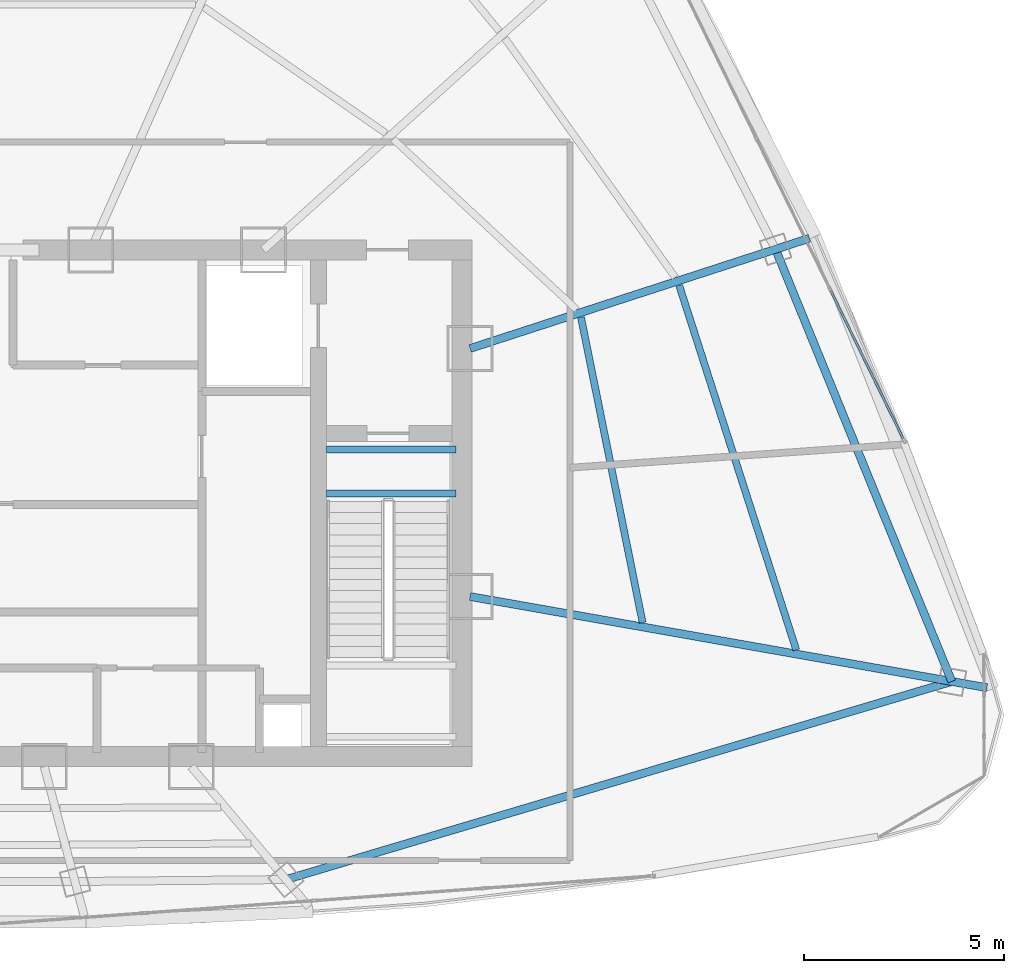
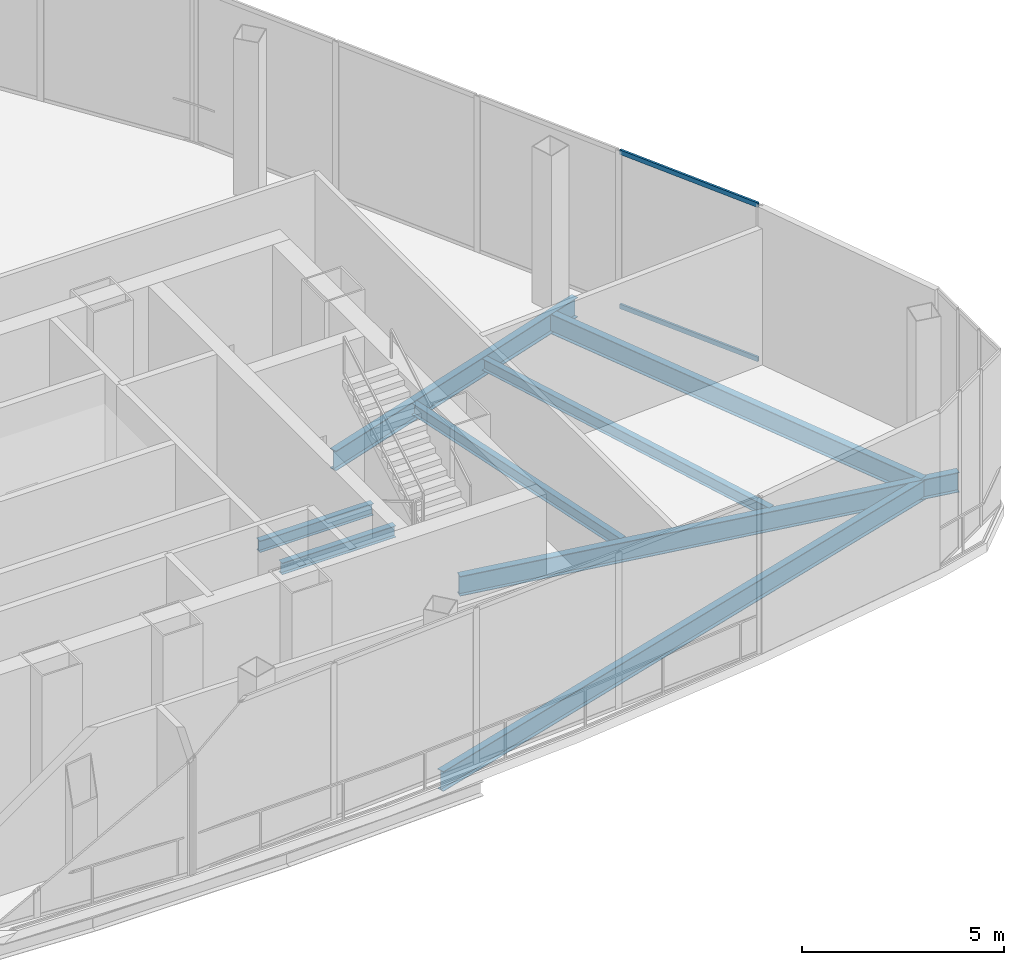
# One storey, part 15 of 33: 8 beams, 2 members, 1 element without a shape of its own.
"""IFC4 building model written with IfcOpenShell, lengths in metres."""

from ifc_helpers import new_model, si_unit, direction, frame, origin, origin_2d, place, context, subcontext, project, spatial, hollow_rectangle, i_section, extrude, source, transform, mapped, material, layer, layer_set, material_profile, profile_set, type_object, element, aggregate, save


model = new_model("IFC4")

# Units and contexts
model_context = context("Model", 3, precision=1e-05, world=origin(), true_north=direction((0.0, 1.0)))
body_context = subcontext(model_context, "Body", "Model", "MODEL_VIEW")
ifc_project = project(units=[si_unit("LENGTHUNIT", "METRE"), si_unit("AREAUNIT", "SQUARE_METRE"), si_unit("VOLUMEUNIT", "CUBIC_METRE"), si_unit("PLANEANGLEUNIT", "RADIAN"), si_unit("MASSUNIT", "GRAM", prefix="KILO"), si_unit("THERMODYNAMICTEMPERATUREUNIT", "KELVIN"), si_unit("POWERUNIT", "WATT")], contexts=[model_context])

# Site, building, storey
site_placement = place(None, origin())
site = spatial("IfcSite", under=ifc_project, at=site_placement, CompositionType="ELEMENT")
building_placement = place(site_placement, origin())
building = spatial("IfcBuilding", under=site, at=building_placement, Name="Yunzhuo Pagoda Commons", CompositionType="ELEMENT")
storey_placement = place(building_placement, frame((0.0, 0.0, 391.760009765625)))
storey = spatial("IfcBuildingStorey", under=building, at=storey_placement, Name="L97", CompositionType="ELEMENT", Elevation=391.760009765625)

# Beams
ifc_material_1 = material(Name="Structural steel Q355B", Category="steel")
ifc_material_profile_1 = material_profile(ifc_material_1, i_section(OverallWidth=0.175048828125, OverallDepth=0.35009765625, WebThickness=0.007080078125, FlangeThickness=0.010986328125, at=origin_2d()), Name="Structural steel Q355B")
ifc_profile_set_1 = profile_set([ifc_material_profile_1], Name="Structural steel Q355B")
beam_type_1 = type_object("IfcBeamType", Name="B-JS2 Joist HN 350x175x7x11", PredefinedType="JOIST", material=ifc_profile_set_1)
shared_shape_1 = source(origin(), body_context, "Body", "SweptSolid", [
    extrude(i_section(OverallWidth=0.175048828125, OverallDepth=0.35009765625, WebThickness=0.007080078125, FlangeThickness=0.010986328125, at=origin_2d()), origin(), (0.0, 0.0, 1.0), 3.25),
])
for number, where, z_axis, x_axis, name in (
    (1, (56.800048828125, 34.10009765625, -0.375), (1.0, 0.0, 0.0), (0.0, 1.0, 0.0), "L97 ST2 landing support beam 201A"),
    (2, (56.800048828125, 35.199951171875, -0.375), (1.0, 0.0, 0.0), (0.0, 1.0, 0.0), "L97 ST2 landing support beam 201B"),
):
    element("IfcBeam", number, at=place(storey_placement, frame(where, z_axis=z_axis, x_axis=x_axis)), inside=storey, type_object=beam_type_1, Name=name, PredefinedType="JOIST", context=body_context, shape_type="MappedRepresentation", body=[
        mapped(shared_shape_1, transform((0.0, 0.0, 0.0), scale=1.0)),
    ])
ifc_material_profile_2 = material_profile(ifc_material_1, i_section(OverallWidth=0.199951171875, OverallDepth=0.60009765625, WebThickness=0.010986328125, FlangeThickness=0.01708984375, at=origin_2d()), Name="Structural steel Q355B")
ifc_profile_set_2 = profile_set([ifc_material_profile_2], Name="Structural steel Q355B")
beam_type_2 = type_object("IfcBeamType", Name="B-RG3 Beam HN 600x200x11x17", PredefinedType="BEAM", material=ifc_profile_set_2)
shared_shape_2 = source(origin(), body_context, "Body", "SweptSolid", [
    extrude(i_section(OverallWidth=0.199951171875, OverallDepth=0.60009765625, WebThickness=0.010986328125, FlangeThickness=0.01708984375, at=origin_2d()), origin(), (0.0, 0.0, 1.0), 17.407470703125),
])
beam_1_placement = place(storey_placement, frame((55.785400390625, 24.421630859375, -0.580078125), z_axis=(0.958484984609, 0.285143006717, 0.0), x_axis=(-0.285143006717, 0.958484984609, 0.0)))
element("IfcBeam", 3, at=beam_1_placement, inside=storey, type_object=beam_type_2, Name="L97 column-ring beam 4", PredefinedType="BEAM", context=body_context, shape_type="MappedRepresentation", body=[
    mapped(shared_shape_2, transform((0.0, 0.0, 0.0), scale=1.0)),
])
shared_shape_3 = source(origin(), body_context, "Body", "SweptSolid", [
    extrude(i_section(OverallWidth=0.199951171875, OverallDepth=0.60009765625, WebThickness=0.010986328125, FlangeThickness=0.01708984375, at=origin_2d()), origin(), (0.0, 0.0, 1.0), 11.696533203125),
])
beam_2_placement = place(storey_placement, frame((72.47021484375, 29.38525390625, -0.580078125), z_axis=(-0.377611800863, 0.925963999219, 0.0), x_axis=(-0.925963999219, -0.377611800863, 0.0)))
element("IfcBeam", 4, at=beam_2_placement, inside=storey, type_object=beam_type_2, Name="L97 column-ring beam 5", PredefinedType="BEAM", context=body_context, shape_type="MappedRepresentation", body=[
    mapped(shared_shape_3, transform((0.0, 0.0, 0.0), scale=1.0)),
])
shared_shape_4 = source(origin(), body_context, "Body", "SweptSolid", [
    extrude(i_section(OverallWidth=0.175048828125, OverallDepth=0.35009765625, WebThickness=0.007080078125, FlangeThickness=0.010986328125, at=origin_2d()), origin(), (0.0, 0.0, 1.0), 7.8056640625),
])
beam_3_placement = place(storey_placement, frame((64.722412109375, 30.860107421875, -0.455078125), z_axis=(-0.197830082137, 0.980236327934, 0.0), x_axis=(-0.980236327934, -0.197830082137, 0.0)))
element("IfcBeam", 5, at=beam_3_placement, inside=storey, type_object=beam_type_1, Name="L97 composite ring joist 1.5", PredefinedType="JOIST", context=body_context, shape_type="MappedRepresentation", body=[
    mapped(shared_shape_4, transform((0.0, 0.0, 0.0), scale=1.0)),
])
shared_shape_5 = source(origin(), body_context, "Body", "SweptSolid", [
    extrude(i_section(OverallWidth=0.175048828125, OverallDepth=0.35009765625, WebThickness=0.007080078125, FlangeThickness=0.010986328125, at=origin_2d()), origin(), (0.0, 0.0, 1.0), 9.593994140625),
])
beam_4_placement = place(storey_placement, frame((68.572509765625, 30.17578125, -0.455078125), z_axis=(-0.305719218499, 0.952121714614, 0.0), x_axis=(-0.952121714614, -0.305719218499, 0.0)))
element("IfcBeam", 6, at=beam_4_placement, inside=storey, type_object=beam_type_1, Name="L97 composite ring joist 2.5", PredefinedType="JOIST", context=body_context, shape_type="MappedRepresentation", body=[
    mapped(shared_shape_5, transform((0.0, 0.0, 0.0), scale=1.0)),
])
shared_shape_6 = source(origin(), body_context, "Body", "SweptSolid", [
    extrude(i_section(OverallWidth=0.199951171875, OverallDepth=0.60009765625, WebThickness=0.010986328125, FlangeThickness=0.01708984375, at=origin_2d()), origin(), (0.0, 0.0, 1.0), 13.151611328125),
])
beam_5_placement = place(storey_placement, frame((73.351806640625, 29.229736328125, -0.580078125), z_axis=(-0.98480877727, 0.173642368713, 0.0), x_axis=(-0.173642368713, -0.98480877727, 0.0)))
element("IfcBeam", 7, at=beam_5_placement, inside=storey, type_object=beam_type_2, Name="L97 radial floor girder F2C1", PredefinedType="BEAM", context=body_context, shape_type="MappedRepresentation", body=[
    mapped(shared_shape_6, transform((0.0, 0.0, 0.0), scale=1.0)),
])
shared_shape_7 = source(origin(), body_context, "Body", "SweptSolid", [
    extrude(i_section(OverallWidth=0.199951171875, OverallDepth=0.60009765625, WebThickness=0.010986328125, FlangeThickness=0.01708984375, at=origin_2d()), origin(), (0.0, 0.0, 1.0), 8.942626953125),
])
beam_6_placement = place(storey_placement, frame((68.90478515625, 40.492431640625, -0.580078125), z_axis=(-0.951055734301, -0.309019401095, 0.0), x_axis=(0.309019401095, -0.951055734301, 0.0)))
element("IfcBeam", 8, at=beam_6_placement, inside=storey, type_object=beam_type_2, Name="L97 radial floor girder F2C2", PredefinedType="BEAM", context=body_context, shape_type="MappedRepresentation", body=[
    mapped(shared_shape_7, transform((0.0, 0.0, 0.0), scale=1.0)),
])

# Curtain wall, members
ifc_material_2 = material(Name="Anodized aluminium 6063-T6", Category="aluminium")
ifc_layer = layer(ifc_material_2, 0.179931640625)
ifc_layer_set = layer_set([ifc_layer], Name="Anodized aluminium 6063-T6")
curtain_wall_type = type_object("IfcCurtainWallType", Name="CW-CRN Crown Gable Glazing System", PredefinedType="NOTDEFINED", material=ifc_layer_set)
curtain_wall_placement = place(storey_placement, origin())
curtain_wall = element("IfcCurtainWall", 9, at=curtain_wall_placement, inside=storey, type_object=curtain_wall_type, Name="L97 curtain wall CW-L97-CRNF2G1", PredefinedType="NOTDEFINED")
ifc_material_profile_3 = material_profile(ifc_material_2, hollow_rectangle(XDim=0.06005859375, YDim=0.139892578125, WallThickness=0.00341796875, at=origin_2d()), Name="Anodized aluminium 6063-T6")
ifc_profile_set_3 = profile_set([ifc_material_profile_3], Name="Anodized aluminium 6063-T6")
member_type = type_object("IfcMemberType", Name="CW-CRN-T Transom RHS 140x60x3.5", PredefinedType="USERDEFINED", material=ifc_profile_set_3)
shared_shape_8 = source(origin(), body_context, "Body", "SweptSolid", [
    extrude(hollow_rectangle(XDim=0.06005859375, YDim=0.139892578125, WallThickness=0.00341796875, at=origin_2d()), origin(), (0.0, 0.0, 1.0), 4.12548828125),
])
member_1_placement = place(storey_placement, frame((71.2529296875, 35.467529296875, 0.030029296875), z_axis=(-0.439456356664, 0.898263942607, 0.0), x_axis=(-0.898263942607, -0.439456356664, 0.0)))
member_1 = element("IfcMember", 10, at=member_1_placement, type_object=member_type, Name="CW transom 1.1", ObjectType="TRANSOM", PredefinedType="USERDEFINED", context=body_context, shape_type="MappedRepresentation", body=[
    mapped(shared_shape_8, transform((0.0, 0.0, 0.0), scale=1.0)),
])
member_2_placement = place(storey_placement, frame((71.2529296875, 35.467529296875, 4.68994140625), z_axis=(-0.439456356664, 0.898263942607, 0.0), x_axis=(-0.898263942607, -0.439456356664, 0.0)))
member_2 = element("IfcMember", 11, at=member_2_placement, type_object=member_type, Name="CW transom 1.2", ObjectType="TRANSOM", PredefinedType="USERDEFINED", context=body_context, shape_type="MappedRepresentation", body=[
    mapped(shared_shape_8, transform((0.0, 0.0, 0.0), scale=1.0)),
])
aggregate(curtain_wall, [member_1, member_2])

save(model, "model.ifc")
